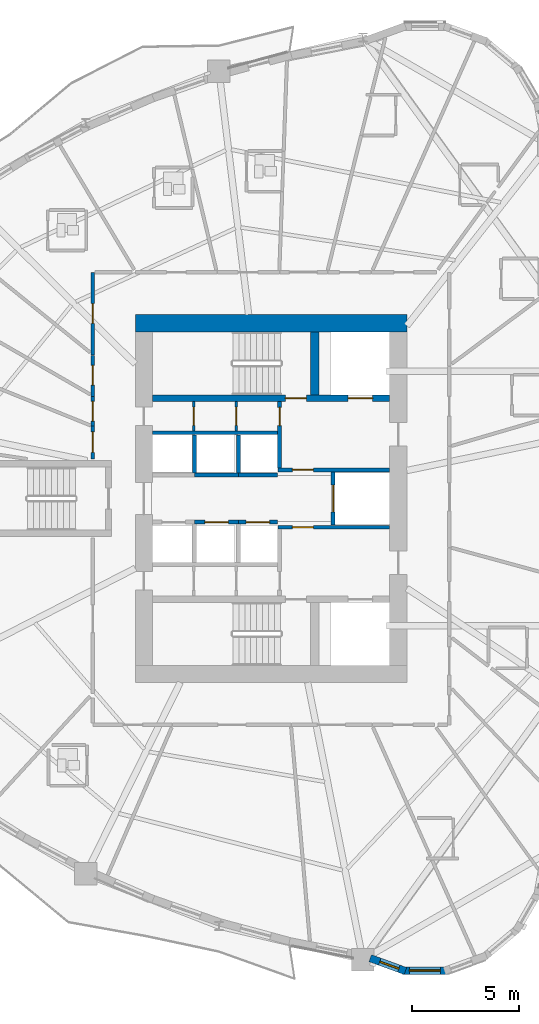
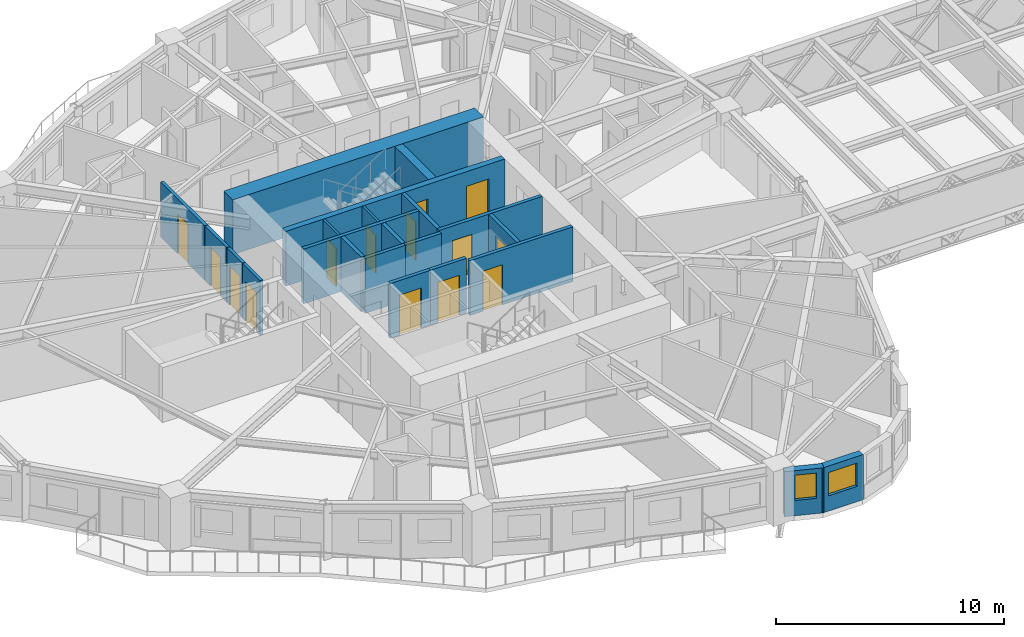
# One storey, part 8 of 18: 22 walls, 14 doors, 2 windows, 16 openings.
"""IFC4 building model written with IfcOpenShell, lengths in metres."""

from ifc_helpers import new_model, si_unit, direction, frame, frame_2d, origin, place, context, subcontext, project, spatial, rectangle, extrude, source, transform, mapped, material, layer, layer_set, type_object, element, fill, save


model = new_model("IFC4")

# Units and contexts
model_context = context("Model", 3, precision=1e-05, world=origin(), true_north=direction((0.0, 1.0)))
body_context = subcontext(model_context, "Body", "Model", "MODEL_VIEW")
ifc_project = project(units=[si_unit("LENGTHUNIT", "METRE"), si_unit("AREAUNIT", "SQUARE_METRE"), si_unit("VOLUMEUNIT", "CUBIC_METRE"), si_unit("PLANEANGLEUNIT", "RADIAN"), si_unit("MASSUNIT", "GRAM", prefix="KILO")], contexts=[model_context])

# Site, building, storey
site_placement = place(None, origin())
site = spatial("IfcSite", under=ifc_project, at=site_placement, CompositionType="ELEMENT")
building_placement = place(site_placement, origin())
building = spatial("IfcBuilding", under=site, at=building_placement, Name="Qafzar Sky-Pleat Residences", CompositionType="ELEMENT")
storey_placement = place(building_placement, frame((0.0, 0.0, 27.0)))
storey = spatial("IfcBuildingStorey", under=building, at=storey_placement, Name="L07", CompositionType="ELEMENT", Elevation=27.0)

# Wall, opening, door
ifc_material_1 = material(Name="Acoustic gypsum plasterboard partition", Category="gypsum")
ifc_layer_1 = layer(ifc_material_1, 0.159912109375)
ifc_layer_set_1 = layer_set([ifc_layer_1], Name="Acoustic gypsum plasterboard partition")
wall_type_1 = type_object("IfcWallType", Name="PART-COR-160", PredefinedType="PARTITIONING", material=ifc_layer_set_1)
wall_1_placement = place(storey_placement, frame((22.02001953125, 32.7099609375, 0.0), z_axis=(0.0, 0.0, 1.0), x_axis=(0.0, 1.0, 0.0)))
wall_1 = element("IfcWall", 1, at=wall_1_placement, inside=storey, type_object=wall_type_1, Name="L07 Partition Wall PART-L07-PW-007", PredefinedType="PARTITIONING", context=body_context, shape_type="SweptSolid", body=[
    extrude(rectangle(XDim=3.8701171875, YDim=0.159912109375, at=frame_2d((1.93505859375, 0.0))), origin(), (0.0, 0.0, 1.0), 2.93505859375),
])
opening_1_placement = place(wall_1_placement, frame((1.484619140625, 0.0, 0.0)))
opening_1 = element("IfcOpeningElement", 2, at=opening_1_placement, cuts=wall_1, Name="Opening ID-04", PredefinedType="OPENING", context=body_context, shape_type="SweptSolid", body=[
    extrude(rectangle(XDim=0.919921875, YDim=2.10009765625, at=frame_2d((0.4599609375, 1.050048828125))), frame((0.0, 0.08984375, 0.0), z_axis=(0.0, -1.0, 0.0), x_axis=(1.0, 0.0, 0.0)), (0.0, 0.0, 1.0), 0.179931640625),
])
ifc_material_2 = material(Name="Timber-faced fire door", Category="wood")
door_type_1 = type_object("IfcDoorType", Name="DR-BED-920", OperationType="NOTDEFINED", PredefinedType="DOOR", material=ifc_material_2)
shared_shape_1 = source(origin(), body_context, "Body", "SweptSolid", [
    extrude(rectangle(XDim=0.919921875, YDim=2.10009765625, at=frame_2d((0.4599609375, 1.050048828125))), frame((0.0, 0.02490234375, 0.0), z_axis=(0.0, -1.0, 0.0), x_axis=(1.0, 0.0, 0.0)), (0.0, 0.0, 1.0), 0.050048828125),
])
door_1_placement = place(opening_1_placement, origin())
door_1 = element("IfcDoor", 3, at=door_1_placement, inside=storey, type_object=door_type_1, Name="L07 Co-Living Bedroom 3 Door", OperationType="SINGLE_SWING_RIGHT", OverallHeight=2.10009765625, OverallWidth=0.919921875, PredefinedType="DOOR", context=body_context, shape_type="MappedRepresentation", body=[
    mapped(shared_shape_1, transform((0.0, 0.0, 0.0), x_axis=(1.0, 0.0, 0.0), y_axis=(0.0, 1.0, 0.0), z_axis=(0.0, 0.0, 1.0), scale=1.0)),
])
fill(opening_1, door_1)

wall_2_placement = place(storey_placement, frame((22.02001953125, 30.781982421875, 0.0), z_axis=(0.0, 0.0, 1.0), x_axis=(0.0, 1.0, 0.0)))
wall_2 = element("IfcWall", 4, at=wall_2_placement, inside=storey, type_object=wall_type_1, Name="L07 Partition Wall PART-L07-PW-019", PredefinedType="PARTITIONING", context=body_context, shape_type="SweptSolid", body=[
    extrude(rectangle(XDim=1.9130859375, YDim=0.159912109375, at=frame_2d((0.95654296875, 0.0))), origin(), (0.0, 0.0, 1.0), 2.93505859375),
])
opening_2_placement = place(wall_2_placement, frame((0.52197265625, 0.0, 0.0)))
opening_2 = element("IfcOpeningElement", 5, at=opening_2_placement, cuts=wall_2, Name="Opening ID-04", PredefinedType="OPENING", context=body_context, shape_type="SweptSolid", body=[
    extrude(rectangle(XDim=0.919921875, YDim=2.10009765625, at=frame_2d((0.4599609375, 1.050048828125))), frame((0.0, 0.08984375, 0.0), z_axis=(0.0, -1.0, 0.0), x_axis=(1.0, 0.0, 0.0)), (0.0, 0.0, 1.0), 0.179931640625),
])
door_2_placement = place(opening_2_placement, origin())
door_2 = element("IfcDoor", 6, at=door_2_placement, inside=storey, type_object=door_type_1, Name="L07 Co-Living Bedroom 5 Door", OperationType="SINGLE_SWING_LEFT", OverallHeight=2.10009765625, OverallWidth=0.919921875, PredefinedType="DOOR", context=body_context, shape_type="MappedRepresentation", body=[
    mapped(shared_shape_1, transform((0.0, 0.0, 0.0), x_axis=(1.0, 0.0, 0.0), y_axis=(0.0, 1.0, 0.0), z_axis=(0.0, 0.0, 1.0), scale=1.0)),
])
fill(opening_2, door_2)

wall_3_placement = place(storey_placement, frame((22.02001953125, 27.85009765625, 0.0), z_axis=(0.0, 0.0, 1.0), x_axis=(0.0, 1.0, 0.0)))
wall_3 = element("IfcWall", 7, at=wall_3_placement, inside=storey, type_object=wall_type_1, Name="L07 Partition Wall PART-L07-PW-031", PredefinedType="PARTITIONING", context=body_context, shape_type="SweptSolid", body=[
    extrude(rectangle(XDim=1.538818359375, YDim=0.159912109375, at=frame_2d((0.76953125, 0.0))), origin(), (0.0, 0.0, 1.0), 2.93505859375),
])
opening_3_placement = place(wall_3_placement, frame((0.31103515625, 0.0, 0.0)))
opening_3 = element("IfcOpeningElement", 8, at=opening_3_placement, cuts=wall_3, Name="Opening ID-06", PredefinedType="OPENING", context=body_context, shape_type="SweptSolid", body=[
    extrude(rectangle(XDim=0.9599609375, YDim=2.10009765625, at=frame_2d((0.47998046875, 1.050048828125))), frame((0.0, 0.08984375, 0.0), z_axis=(0.0, -1.0, 0.0), x_axis=(1.0, 0.0, 0.0)), (0.0, 0.0, 1.0), 0.179931640625),
])
door_type_2 = type_object("IfcDoorType", Name="DR-STD-960", OperationType="NOTDEFINED", PredefinedType="DOOR", material=ifc_material_2)
shared_shape_2 = source(origin(), body_context, "Body", "SweptSolid", [
    extrude(rectangle(XDim=0.9599609375, YDim=2.10009765625, at=frame_2d((0.47998046875, 1.050048828125))), frame((0.0, 0.02490234375, 0.0), z_axis=(0.0, -1.0, 0.0), x_axis=(1.0, 0.0, 0.0)), (0.0, 0.0, 1.0), 0.050048828125),
])
door_3_placement = place(opening_3_placement, origin())
door_3 = element("IfcDoor", 9, at=door_3_placement, inside=storey, type_object=door_type_2, Name="L07 Graduate Lecture Room Door", OperationType="SINGLE_SWING_LEFT", OverallHeight=2.10009765625, OverallWidth=0.9599609375, PredefinedType="DOOR", context=body_context, shape_type="MappedRepresentation", body=[
    mapped(shared_shape_2, transform((0.0, 0.0, 0.0), x_axis=(1.0, 0.0, 0.0), y_axis=(0.0, 1.0, 0.0), z_axis=(0.0, 0.0, 1.0), scale=1.0)),
])
fill(opening_3, door_3)

wall_4_placement = place(storey_placement, frame((22.02001953125, 29.404052734375, 0.0), z_axis=(0.0, 0.0, 1.0), x_axis=(0.0, 1.0, 0.0)))
wall_4 = element("IfcWall", 10, at=wall_4_placement, inside=storey, type_object=wall_type_1, Name="L07 Partition Wall PART-L07-PW-032", PredefinedType="PARTITIONING", context=body_context, shape_type="SweptSolid", body=[
    extrude(rectangle(XDim=1.363037109375, YDim=0.159912109375, at=frame_2d((0.681640625, 0.0))), origin(), (0.0, 0.0, 1.0), 2.93505859375),
])
opening_4_placement = place(wall_4_placement, frame((0.221923828125, 0.0, 0.0)))
opening_4 = element("IfcOpeningElement", 11, at=opening_4_placement, cuts=wall_4, Name="Opening ID-04", PredefinedType="OPENING", context=body_context, shape_type="SweptSolid", body=[
    extrude(rectangle(XDim=0.919921875, YDim=2.10009765625, at=frame_2d((0.4599609375, 1.050048828125))), frame((0.0, 0.08984375, 0.0), z_axis=(0.0, -1.0, 0.0), x_axis=(1.0, 0.0, 0.0)), (0.0, 0.0, 1.0), 0.179931640625),
])
door_4_placement = place(opening_4_placement, origin())
door_4 = element("IfcDoor", 12, at=door_4_placement, inside=storey, type_object=door_type_1, Name="L07 Co-Living Bedroom 4 Door", OperationType="SINGLE_SWING_RIGHT", OverallHeight=2.10009765625, OverallWidth=0.919921875, PredefinedType="DOOR", context=body_context, shape_type="MappedRepresentation", body=[
    mapped(shared_shape_1, transform((0.0, 0.0, 0.0), x_axis=(1.0, 0.0, 0.0), y_axis=(0.0, 1.0, 0.0), z_axis=(0.0, 0.0, 1.0), scale=1.0)),
])
fill(opening_4, door_4)

ifc_material_3 = material(Name="Concrete blockwork partition", Category="masonry")
ifc_layer_2 = layer(ifc_material_3, 0.179931640625)
ifc_layer_set_2 = layer_set([ifc_layer_2], Name="Concrete blockwork partition")
wall_type_2 = type_object("IfcWallType", Name="PART-SHAFT-180", PredefinedType="PARTITIONING", material=ifc_layer_set_2)
wall_5_placement = place(storey_placement, frame((30.669921875, 24.659912109375, 0.0), z_axis=(0.0, 0.0, 1.0), x_axis=(1.0, 0.0, 0.0)))
wall_5 = element("IfcWall", 13, at=wall_5_placement, inside=storey, type_object=wall_type_2, Name="L07 Partition Wall PART-L07-FFL1-N", PredefinedType="PARTITIONING", context=body_context, shape_type="SweptSolid", body=[
    extrude(rectangle(XDim=5.219970703125, YDim=0.179931640625, at=frame_2d((2.60986328125, 0.0))), origin(), (0.0, 0.0, 1.0), 2.93505859375),
])
opening_5_placement = place(wall_5_placement, frame((0.679931640625, 0.0, 0.0)))
opening_5 = element("IfcOpeningElement", 14, at=opening_5_placement, cuts=wall_5, Name="Opening ID-01", PredefinedType="OPENING", context=body_context, shape_type="SweptSolid", body=[
    extrude(rectangle(XDim=0.97998046875, YDim=2.14990234375, at=frame_2d((0.489990234375, 1.074951171875))), frame((0.0, 0.10009765625, 0.0), z_axis=(0.0, -1.0, 0.0), x_axis=(1.0, 0.0, 0.0)), (0.0, 0.0, 1.0), 0.199951171875),
])
door_type_3 = type_object("IfcDoorType", Name="DR-STAIR-980", OperationType="NOTDEFINED", PredefinedType="DOOR", material=ifc_material_2)
shared_shape_3 = source(origin(), body_context, "Body", "SweptSolid", [
    extrude(rectangle(XDim=0.97998046875, YDim=2.14990234375, at=frame_2d((0.489990234375, 1.074951171875))), frame((0.0, 0.02490234375, 0.0), z_axis=(0.0, -1.0, 0.0), x_axis=(1.0, 0.0, 0.0)), (0.0, 0.0, 1.0), 0.050048828125),
])
door_5_placement = place(opening_5_placement, origin())
door_5 = element("IfcDoor", 15, at=door_5_placement, inside=storey, type_object=door_type_3, Name="L07 Lift Lobby to South Firefighting Lobby Door", OperationType="SINGLE_SWING_LEFT", OverallHeight=2.14990234375, OverallWidth=0.97998046875, PredefinedType="DOOR", context=body_context, shape_type="MappedRepresentation", body=[
    mapped(shared_shape_3, transform((0.0, 0.0, 0.0), x_axis=(1.0, 0.0, 0.0), y_axis=(0.0, 1.0, 0.0), z_axis=(0.0, 0.0, 1.0), scale=1.0)),
])
fill(opening_5, door_5)

wall_6_placement = place(storey_placement, frame((30.75, 27.429931640625, 0.0), z_axis=(0.0, 0.0, 1.0), x_axis=(0.0, 1.0, 0.0)))
wall_6 = element("IfcWall", 16, at=wall_6_placement, inside=storey, type_object=wall_type_2, Name="L07 Partition Wall PART-L07-FFL2-W", PredefinedType="PARTITIONING", context=body_context, shape_type="SweptSolid", body=[
    extrude(rectangle(XDim=3.110107421875, YDim=0.179931640625, at=frame_2d((1.55517578125, 0.0))), origin(), (0.0, 0.0, 1.0), 2.93505859375),
])
opening_6_placement = place(wall_6_placement, frame((1.97998046875, 0.0, 0.0)))
opening_6 = element("IfcOpeningElement", 17, at=opening_6_placement, cuts=wall_6, Name="Opening ID-09", PredefinedType="OPENING", context=body_context, shape_type="SweptSolid", body=[
    extrude(rectangle(XDim=0.860107421875, YDim=2.050048828125, at=frame_2d((0.43017578125, 1.02490234375))), frame((0.0, 0.10009765625, 0.0), z_axis=(0.0, -1.0, 0.0), x_axis=(1.0, 0.0, 0.0)), (0.0, 0.0, 1.0), 0.199951171875),
])
door_type_4 = type_object("IfcDoorType", Name="DR-SVC-860", OperationType="NOTDEFINED", PredefinedType="DOOR", material=ifc_material_2)
shared_shape_4 = source(origin(), body_context, "Body", "SweptSolid", [
    extrude(rectangle(XDim=0.860107421875, YDim=2.050048828125, at=frame_2d((0.43017578125, 1.02490234375))), frame((0.0, 0.02490234375, 0.0), z_axis=(0.0, -1.0, 0.0), x_axis=(1.0, 0.0, 0.0)), (0.0, 0.0, 1.0), 0.050048828125),
])
door_6_placement = place(opening_6_placement, origin())
door_6 = element("IfcDoor", 18, at=door_6_placement, inside=storey, type_object=door_type_4, Name="L07 North Core Cupboard Door", OperationType="SINGLE_SWING_RIGHT", OverallHeight=2.050048828125, OverallWidth=0.860107421875, PredefinedType="DOOR", context=body_context, shape_type="MappedRepresentation", body=[
    mapped(shared_shape_4, transform((0.0, 0.0, 0.0), x_axis=(1.0, 0.0, 0.0), y_axis=(0.0, 1.0, 0.0), z_axis=(0.0, 0.0, 1.0), scale=1.0)),
])
fill(opening_6, door_6)

wall_7_placement = place(storey_placement, frame((30.669921875, 27.340087890625, 0.0), z_axis=(0.0, 0.0, 1.0), x_axis=(1.0, 0.0, 0.0)))
wall_7 = element("IfcWall", 19, at=wall_7_placement, inside=storey, type_object=wall_type_2, Name="L07 Partition Wall PART-L07-FFL2-S", PredefinedType="PARTITIONING", context=body_context, shape_type="SweptSolid", body=[
    extrude(rectangle(XDim=5.219970703125, YDim=0.179931640625, at=frame_2d((2.60986328125, 0.0))), origin(), (0.0, 0.0, 1.0), 2.93505859375),
])
opening_7_placement = place(wall_7_placement, frame((0.679931640625, 0.0, 0.0)))
opening_7 = element("IfcOpeningElement", 20, at=opening_7_placement, cuts=wall_7, Name="Opening ID-01", PredefinedType="OPENING", context=body_context, shape_type="SweptSolid", body=[
    extrude(rectangle(XDim=0.97998046875, YDim=2.14990234375, at=frame_2d((0.489990234375, 1.074951171875))), frame((0.0, 0.10009765625, 0.0), z_axis=(0.0, -1.0, 0.0), x_axis=(1.0, 0.0, 0.0)), (0.0, 0.0, 1.0), 0.199951171875),
])
door_7_placement = place(opening_7_placement, origin())
door_7 = element("IfcDoor", 21, at=door_7_placement, inside=storey, type_object=door_type_3, Name="L07 Lift Lobby to North Firefighting Lobby Door", OperationType="SINGLE_SWING_LEFT", OverallHeight=2.14990234375, OverallWidth=0.97998046875, PredefinedType="DOOR", context=body_context, shape_type="MappedRepresentation", body=[
    mapped(shared_shape_3, transform((0.0, 0.0, 0.0), x_axis=(1.0, 0.0, 0.0), y_axis=(0.0, 1.0, 0.0), z_axis=(0.0, 0.0, 1.0), scale=1.0)),
])
fill(opening_7, door_7)

wall_8_placement = place(storey_placement, frame((33.25, 24.760009765625, 0.0), z_axis=(0.0, 0.0, 1.0), x_axis=(0.0, 1.0, 0.0)))
wall_8 = element("IfcWall", 22, at=wall_8_placement, inside=storey, type_object=wall_type_2, Name="L07 Partition Wall PART-L07-SV1-W", PredefinedType="PARTITIONING", context=body_context, shape_type="SweptSolid", body=[
    extrude(rectangle(XDim=2.47998046875, YDim=0.179931640625, at=frame_2d((1.239990234375, 0.0))), origin(), (0.0, 0.0, 1.0), 2.93505859375),
])
opening_8_placement = place(wall_8_placement, frame((0.614990234375, 0.0, 0.0)))
opening_8 = element("IfcOpeningElement", 23, at=opening_8_placement, cuts=wall_8, Name="Opening LD-03", PredefinedType="OPENING", context=body_context, shape_type="SweptSolid", body=[
    extrude(rectangle(XDim=1.25, YDim=2.14990234375, at=frame_2d((0.625, 1.074951171875))), frame((0.0, 0.10009765625, 0.0), z_axis=(0.0, -1.0, 0.0), x_axis=(1.0, 0.0, 0.0)), (0.0, 0.0, 1.0), 0.199951171875),
])
ifc_material_4 = material(Name="Stainless steel sliding landing door", Category="steel")
door_type_5 = type_object("IfcDoorType", Name="DR-LIFT-SV", OperationType="DOUBLE_DOOR_SLIDING", PredefinedType="DOOR", material=ifc_material_4)
shared_shape_5 = source(origin(), body_context, "Body", "SweptSolid", [
    extrude(rectangle(XDim=1.25, YDim=2.14990234375, at=frame_2d((0.625, 1.074951171875))), frame((0.0, 0.02490234375, 0.0), z_axis=(0.0, -1.0, 0.0), x_axis=(1.0, 0.0, 0.0)), (0.0, 0.0, 1.0), 0.050048828125),
])
door_8_placement = place(opening_8_placement, origin())
door_8 = element("IfcDoor", 24, at=door_8_placement, inside=storey, type_object=door_type_5, Name="L07 Service Lift SV1 Landing Door", OperationType="DOUBLE_DOOR_SLIDING", OverallHeight=2.14990234375, OverallWidth=1.25, PredefinedType="DOOR", context=body_context, shape_type="MappedRepresentation", body=[
    mapped(shared_shape_5, transform((0.0, 0.0, 0.0), x_axis=(1.0, 0.0, 0.0), y_axis=(0.0, 1.0, 0.0), z_axis=(0.0, 0.0, 1.0), scale=1.0)),
])
fill(opening_8, door_8)

wall_9_placement = place(storey_placement, frame((26.77490234375, 24.89990234375, 0.0), z_axis=(0.0, 0.0, 1.0), x_axis=(1.0, 0.0, 0.0)))
wall_9 = element("IfcWall", 25, at=wall_9_placement, inside=storey, type_object=wall_type_2, Name="L07 Partition Wall PART-L07-P2-N", PredefinedType="PARTITIONING", context=body_context, shape_type="SweptSolid", body=[
    extrude(rectangle(XDim=2.050048828125, YDim=0.179931640625, at=frame_2d((1.02490234375, 0.0))), origin(), (0.0, 0.0, 1.0), 2.93505859375),
])
opening_9_placement = place(wall_9_placement, frame((0.47509765625, 0.0, 0.0)))
opening_9 = element("IfcOpeningElement", 26, at=opening_9_placement, cuts=wall_9, Name="Opening LD-01", PredefinedType="OPENING", context=body_context, shape_type="SweptSolid", body=[
    extrude(rectangle(XDim=1.10009765625, YDim=2.14990234375, at=frame_2d((0.550048828125, 1.074951171875))), frame((0.0, 0.10009765625, 0.0), z_axis=(0.0, -1.0, 0.0), x_axis=(1.0, 0.0, 0.0)), (0.0, 0.0, 1.0), 0.199951171875),
])
door_type_6 = type_object("IfcDoorType", Name="DR-LIFT-P", OperationType="DOUBLE_DOOR_SLIDING", PredefinedType="DOOR", material=ifc_material_4)
shared_shape_6 = source(origin(), body_context, "Body", "SweptSolid", [
    extrude(rectangle(XDim=1.10009765625, YDim=2.14990234375, at=frame_2d((0.550048828125, 1.074951171875))), frame((0.0, 0.02490234375, 0.0), z_axis=(0.0, -1.0, 0.0), x_axis=(1.0, 0.0, 0.0)), (0.0, 0.0, 1.0), 0.050048828125),
])
door_9_placement = place(opening_9_placement, origin())
door_9 = element("IfcDoor", 27, at=door_9_placement, inside=storey, type_object=door_type_6, Name="L07 Passenger Lift P2 Landing Door", OperationType="DOUBLE_DOOR_SLIDING", OverallHeight=2.14990234375, OverallWidth=1.10009765625, PredefinedType="DOOR", context=body_context, shape_type="MappedRepresentation", body=[
    mapped(shared_shape_6, transform((0.0, 0.0, 0.0), x_axis=(1.0, 0.0, 0.0), y_axis=(0.0, 1.0, 0.0), z_axis=(0.0, 0.0, 1.0), scale=1.0)),
])
fill(opening_9, door_9)

wall_10_placement = place(storey_placement, frame((28.824951171875, 24.89990234375, 0.0), z_axis=(0.0, 0.0, 1.0), x_axis=(1.0, 0.0, 0.0)))
wall_10 = element("IfcWall", 28, at=wall_10_placement, inside=storey, type_object=wall_type_2, Name="L07 Partition Wall PART-L07-P3-N", PredefinedType="PARTITIONING", context=body_context, shape_type="SweptSolid", body=[
    extrude(rectangle(XDim=1.824951171875, YDim=0.179931640625, at=frame_2d((0.91259765625, 0.0))), origin(), (0.0, 0.0, 1.0), 2.93505859375),
])
opening_10_placement = place(wall_10_placement, frame((0.362548828125, 0.0, 0.0)))
opening_10 = element("IfcOpeningElement", 29, at=opening_10_placement, cuts=wall_10, Name="Opening LD-01", PredefinedType="OPENING", context=body_context, shape_type="SweptSolid", body=[
    extrude(rectangle(XDim=1.10009765625, YDim=2.14990234375, at=frame_2d((0.550048828125, 1.074951171875))), frame((0.0, 0.10009765625, 0.0), z_axis=(0.0, -1.0, 0.0), x_axis=(1.0, 0.0, 0.0)), (0.0, 0.0, 1.0), 0.199951171875),
])
door_10_placement = place(opening_10_placement, origin())
door_10 = element("IfcDoor", 30, at=door_10_placement, inside=storey, type_object=door_type_6, Name="L07 Passenger Lift P3 Landing Door", OperationType="DOUBLE_DOOR_SLIDING", OverallHeight=2.14990234375, OverallWidth=1.10009765625, PredefinedType="DOOR", context=body_context, shape_type="MappedRepresentation", body=[
    mapped(shared_shape_6, transform((0.0, 0.0, 0.0), x_axis=(1.0, 0.0, 0.0), y_axis=(0.0, 1.0, 0.0), z_axis=(0.0, 0.0, 1.0), scale=1.0)),
])
fill(opening_10, door_10)

# Walls
wall_11_placement = place(storey_placement, frame((24.81005859375, 29.080078125, 0.0), z_axis=(0.0, 0.0, 1.0), x_axis=(1.0, 0.0, 0.0)))
element("IfcWall", 31, at=wall_11_placement, inside=storey, type_object=wall_type_2, Name="L07 Partition Wall PART-L07-P46-N", PredefinedType="PARTITIONING", context=body_context, shape_type="SweptSolid", body=[
    extrude(rectangle(XDim=5.83984375, YDim=0.179931640625, at=frame_2d((2.919921875, 0.0))), origin(), (0.0, 0.0, 1.0), 2.93505859375),
])
wall_12_placement = place(storey_placement, frame((26.77490234375, 27.10009765625, 0.0), z_axis=(0.0, 0.0, 1.0), x_axis=(1.0, 0.0, 0.0)))
element("IfcWall", 32, at=wall_12_placement, inside=storey, type_object=wall_type_2, Name="L07 Partition Wall PART-L07-P5-S", PredefinedType="PARTITIONING", context=body_context, shape_type="SweptSolid", body=[
    extrude(rectangle(XDim=2.050048828125, YDim=0.179931640625, at=frame_2d((1.02490234375, 0.0))), origin(), (0.0, 0.0, 1.0), 2.93505859375),
])
wall_13_placement = place(storey_placement, frame((26.77490234375, 27.199951171875, 0.0), z_axis=(0.0, 0.0, 1.0), x_axis=(0.0, 1.0, 0.0)))
element("IfcWall", 33, at=wall_13_placement, inside=storey, type_object=wall_type_2, Name="L07 Partition Wall PART-L07-P46-DIV-1", PredefinedType="PARTITIONING", context=body_context, shape_type="SweptSolid", body=[
    extrude(rectangle(XDim=1.780029296875, YDim=0.179931640625, at=frame_2d((0.89013671875, 0.0))), origin(), (0.0, 0.0, 1.0), 2.93505859375),
])
wall_14_placement = place(storey_placement, frame((28.824951171875, 27.10009765625, 0.0), z_axis=(0.0, 0.0, 1.0), x_axis=(1.0, 0.0, 0.0)))
element("IfcWall", 34, at=wall_14_placement, inside=storey, type_object=wall_type_2, Name="L07 Partition Wall PART-L07-P6-S", PredefinedType="PARTITIONING", context=body_context, shape_type="SweptSolid", body=[
    extrude(rectangle(XDim=1.824951171875, YDim=0.179931640625, at=frame_2d((0.91259765625, 0.0))), origin(), (0.0, 0.0, 1.0), 2.93505859375),
])
wall_15_placement = place(storey_placement, frame((28.824951171875, 27.199951171875, 0.0), z_axis=(0.0, 0.0, 1.0), x_axis=(0.0, 1.0, 0.0)))
element("IfcWall", 35, at=wall_15_placement, inside=storey, type_object=wall_type_2, Name="L07 Partition Wall PART-L07-P46-DIV-2", PredefinedType="PARTITIONING", context=body_context, shape_type="SweptSolid", body=[
    extrude(rectangle(XDim=1.780029296875, YDim=0.179931640625, at=frame_2d((0.89013671875, 0.0))), origin(), (0.0, 0.0, 1.0), 2.93505859375),
])

# Wall, opening, door
ifc_material_5 = material(Name="Gypsum plasterboard partition", Category="gypsum")
ifc_layer_3 = layer(ifc_material_5, 0.114990234375)
ifc_layer_set_3 = layer_set([ifc_layer_3], Name="Gypsum plasterboard partition")
wall_type_3 = type_object("IfcWallType", Name="PART-SVC-115", PredefinedType="PARTITIONING", material=ifc_layer_set_3)
wall_16_placement = place(storey_placement, frame((26.72509765625, 29.159912109375, 0.0), z_axis=(0.0, 0.0, 1.0), x_axis=(0.0, 1.0, 0.0)))
wall_16 = element("IfcWall", 36, at=wall_16_placement, inside=storey, type_object=wall_type_3, Name="L07 Partition Wall PART-L07-KC-NW-1", PredefinedType="PARTITIONING", context=body_context, shape_type="SweptSolid", body=[
    extrude(rectangle(XDim=1.380126953125, YDim=0.114990234375, at=frame_2d((0.68994140625, 0.0))), origin(), (0.0, 0.0, 1.0), 2.93505859375),
])
opening_11_placement = place(wall_16_placement, frame((0.260009765625, 0.0, 0.0)))
opening_11 = element("IfcOpeningElement", 37, at=opening_11_placement, cuts=wall_16, Name="Opening ID-09", PredefinedType="OPENING", context=body_context, shape_type="SweptSolid", body=[
    extrude(rectangle(XDim=0.860107421875, YDim=2.050048828125, at=frame_2d((0.43017578125, 1.02490234375))), frame((0.0, 0.0673828125, 0.0), z_axis=(0.0, -1.0, 0.0), x_axis=(1.0, 0.0, 0.0)), (0.0, 0.0, 1.0), 0.135009765625),
])
door_11_placement = place(opening_11_placement, origin())
door_11 = element("IfcDoor", 38, at=door_11_placement, inside=storey, type_object=door_type_4, Name="L07 Core North Cupboard 1 Door", OperationType="SINGLE_SWING_LEFT", OverallHeight=2.050048828125, OverallWidth=0.860107421875, PredefinedType="DOOR", context=body_context, shape_type="MappedRepresentation", body=[
    mapped(shared_shape_4, transform((0.0, 0.0, 0.0), x_axis=(1.0, 0.0, 0.0), y_axis=(0.0, 1.0, 0.0), z_axis=(0.0, 0.0, 1.0), scale=1.0)),
])
fill(opening_11, door_11)

wall_17_placement = place(storey_placement, frame((28.72509765625, 29.159912109375, 0.0), z_axis=(0.0, 0.0, 1.0), x_axis=(0.0, 1.0, 0.0)))
wall_17 = element("IfcWall", 39, at=wall_17_placement, inside=storey, type_object=wall_type_3, Name="L07 Partition Wall PART-L07-KC-NW-2", PredefinedType="PARTITIONING", context=body_context, shape_type="SweptSolid", body=[
    extrude(rectangle(XDim=1.380126953125, YDim=0.114990234375, at=frame_2d((0.68994140625, 0.0))), origin(), (0.0, 0.0, 1.0), 2.93505859375),
])
opening_12_placement = place(wall_17_placement, frame((0.260009765625, 0.0, 0.0)))
opening_12 = element("IfcOpeningElement", 40, at=opening_12_placement, cuts=wall_17, Name="Opening ID-09", PredefinedType="OPENING", context=body_context, shape_type="SweptSolid", body=[
    extrude(rectangle(XDim=0.860107421875, YDim=2.050048828125, at=frame_2d((0.43017578125, 1.02490234375))), frame((0.0, 0.0673828125, 0.0), z_axis=(0.0, -1.0, 0.0), x_axis=(1.0, 0.0, 0.0)), (0.0, 0.0, 1.0), 0.135009765625),
])
door_12_placement = place(opening_12_placement, origin())
door_12 = element("IfcDoor", 41, at=door_12_placement, inside=storey, type_object=door_type_4, Name="L07 Core North Cupboard 2 Door", OperationType="SINGLE_SWING_LEFT", OverallHeight=2.050048828125, OverallWidth=0.860107421875, PredefinedType="DOOR", context=body_context, shape_type="MappedRepresentation", body=[
    mapped(shared_shape_4, transform((0.0, 0.0, 0.0), x_axis=(1.0, 0.0, 0.0), y_axis=(0.0, 1.0, 0.0), z_axis=(0.0, 0.0, 1.0), scale=1.0)),
])
fill(opening_12, door_12)

# Wall, opening, window
ifc_material_6 = material(Name="Precast concrete C40/50 with honed Riyadh limestone", Category="concrete")
ifc_layer_4 = layer(ifc_material_6, 0.35009765625)
ifc_layer_set_4 = layer_set([ifc_layer_4], Name="Precast concrete C40/50 with honed Riyadh limestone")
wall_type_4 = type_object("IfcWallType", Name="WALL-EXT-350", PredefinedType="SOLIDWALL", material=ifc_layer_set_4)
wall_18_placement = place(storey_placement, frame((34.98681640625, 4.50634765625, 0.0), z_axis=(0.0, 0.0, 1.0), x_axis=(0.939720171257, -0.341944439541, 0.0)))
wall_18 = element("IfcWall", 42, at=wall_18_placement, inside=storey, type_object=wall_type_4, Name="L07 Limestone Facade Wall 17", PredefinedType="SOLIDWALL", context=body_context, shape_type="SweptSolid", body=[
    extrude(rectangle(XDim=1.752197265625, YDim=0.35009765625, at=frame_2d((0.8759765625, 0.0))), origin(), (0.0, 0.0, 1.0), 2.4150390625),
])
opening_13_placement = place(wall_18_placement, frame((0.47607421875, 0.0, 0.820068359375)))
opening_13 = element("IfcOpeningElement", 43, at=opening_13_placement, cuts=wall_18, Name="Opening WN-12", PredefinedType="OPENING", context=body_context, shape_type="SweptSolid", body=[
    extrude(rectangle(XDim=0.949951171875, YDim=1.35009765625, at=frame_2d((0.47509765625, 0.675048828125))), frame((0.0, 0.18505859375, 0.0), z_axis=(0.0, -1.0, 0.0), x_axis=(1.0, 0.0, 0.0)), (0.0, 0.0, 1.0), 0.3701171875),
])
ifc_material_7 = material(Name="Solar-control low-E glass in bronze aluminium frame", Category="glass")
window_type_1 = type_object("IfcWindowType", Name="WIN-12", PartitioningType="SINGLE_PANEL", PredefinedType="WINDOW", material=ifc_material_7)
shared_shape_7 = source(origin(), body_context, "Body", "SweptSolid", [
    extrude(rectangle(XDim=0.949951171875, YDim=1.35009765625, at=frame_2d((0.47509765625, 0.675048828125))), frame((0.0, 0.030029296875, 0.0), z_axis=(0.0, -1.0, 0.0), x_axis=(1.0, 0.0, 0.0)), (0.0, 0.0, 1.0), 0.06005859375),
])
window_1_placement = place(opening_13_placement, origin())
window_1 = element("IfcWindow", 44, at=window_1_placement, inside=storey, type_object=window_type_1, Name="L07 Punched Facade Window 17", OverallHeight=1.35009765625, OverallWidth=0.949951171875, PartitioningType="SINGLE_PANEL", PredefinedType="WINDOW", context=body_context, shape_type="MappedRepresentation", body=[
    mapped(shared_shape_7, transform((0.0, 0.0, 0.0), x_axis=(1.0, 0.0, 0.0), y_axis=(0.0, 1.0, 0.0), z_axis=(0.0, 0.0, 1.0), scale=1.0)),
])
fill(opening_13, window_1)

wall_19_placement = place(storey_placement, frame((36.499755859375, 3.9306640625, 0.0), z_axis=(0.0, 0.0, 1.0), x_axis=(1.0, 0.0, 0.0)))
wall_19 = element("IfcWall", 45, at=wall_19_placement, inside=storey, type_object=wall_type_4, Name="L07 Limestone Facade Wall 18", PredefinedType="SOLIDWALL", context=body_context, shape_type="SweptSolid", body=[
    extrude(rectangle(XDim=2.09033203125, YDim=0.35009765625, at=frame_2d((1.045166015625, 0.0))), origin(), (0.0, 0.0, 1.0), 2.4150390625),
])
opening_14_placement = place(wall_19_placement, frame((0.3203125, 0.0, 0.820068359375)))
opening_14 = element("IfcOpeningElement", 46, at=opening_14_placement, cuts=wall_19, Name="Opening WN-15", PredefinedType="OPENING", context=body_context, shape_type="SweptSolid", body=[
    extrude(rectangle(XDim=1.449951171875, YDim=1.25, at=frame_2d((0.72509765625, 0.625))), frame((0.0, 0.18505859375, 0.0), z_axis=(0.0, -1.0, 0.0), x_axis=(1.0, 0.0, 0.0)), (0.0, 0.0, 1.0), 0.3701171875),
])
window_type_2 = type_object("IfcWindowType", Name="WIN-15", PartitioningType="SINGLE_PANEL", PredefinedType="WINDOW", material=ifc_material_7)
shared_shape_8 = source(origin(), body_context, "Body", "SweptSolid", [
    extrude(rectangle(XDim=1.449951171875, YDim=1.25, at=frame_2d((0.72509765625, 0.625))), frame((0.0, 0.030029296875, 0.0), z_axis=(0.0, -1.0, 0.0), x_axis=(1.0, 0.0, 0.0)), (0.0, 0.0, 1.0), 0.06005859375),
])
window_2_placement = place(opening_14_placement, origin())
window_2 = element("IfcWindow", 47, at=window_2_placement, inside=storey, type_object=window_type_2, Name="L07 Punched Facade Window 18", OverallHeight=1.25, OverallWidth=1.449951171875, PartitioningType="SINGLE_PANEL", PredefinedType="WINDOW", context=body_context, shape_type="MappedRepresentation", body=[
    mapped(shared_shape_8, transform((0.0, 0.0, 0.0), x_axis=(1.0, 0.0, 0.0), y_axis=(0.0, 1.0, 0.0), z_axis=(0.0, 0.0, 1.0), scale=1.0)),
])
fill(opening_14, window_2)

# Wall, openings, doors
ifc_material_8 = material(Name="Concrete C60/75", Category="concrete")
ifc_layer_5 = layer(ifc_material_8, 0.300048828125)
ifc_layer_set_5 = layer_set([ifc_layer_5], Name="Concrete C60/75")
wall_type_5 = type_object("IfcWallType", Name="WALL-SHEAR-300", PredefinedType="SHEAR", material=ifc_layer_set_5)
wall_20_placement = place(storey_placement, frame((24.800048828125, 30.699951171875, 0.0), z_axis=(0.0, 0.0, 1.0), x_axis=(1.0, 0.0, 0.0)))
wall_20 = element("IfcWall", 48, at=wall_20_placement, inside=storey, type_object=wall_type_5, Name="L07 Stair ST2 and FF2 Shaft South Wall", PredefinedType="SHEAR", context=body_context, shape_type="SweptSolid", body=[
    extrude(rectangle(XDim=11.099853515625, YDim=0.300048828125, at=frame_2d((5.5498046875, 0.0))), origin(), (0.0, 0.0, 1.0), 2.93505859375),
])
opening_15_placement = place(wall_20_placement, frame((6.219970703125, 0.0, 0.0)))
opening_15 = element("IfcOpeningElement", 49, at=opening_15_placement, cuts=wall_20, Name="Opening ID-01", PredefinedType="OPENING", context=body_context, shape_type="SweptSolid", body=[
    extrude(rectangle(XDim=0.97998046875, YDim=2.14990234375, at=frame_2d((0.489990234375, 1.074951171875))), frame((0.0, 0.16015625, 0.0), z_axis=(0.0, -1.0, 0.0), x_axis=(1.0, 0.0, 0.0)), (0.0, 0.0, 1.0), 0.320068359375),
])
opening_16_placement = place(wall_20_placement, frame((9.14990234375, 0.0, 0.0)))
opening_16 = element("IfcOpeningElement", 50, at=opening_16_placement, cuts=wall_20, Name="Opening LD-02", PredefinedType="OPENING", context=body_context, shape_type="SweptSolid", body=[
    extrude(rectangle(XDim=1.14990234375, YDim=2.14990234375, at=frame_2d((0.574951171875, 1.074951171875))), frame((0.0, 0.16015625, 0.0), z_axis=(0.0, -1.0, 0.0), x_axis=(1.0, 0.0, 0.0)), (0.0, 0.0, 1.0), 0.320068359375),
])
door_13_placement = place(opening_15_placement, origin())
door_13 = element("IfcDoor", 51, at=door_13_placement, inside=storey, type_object=door_type_3, Name="L07 Stair ST2 Fire Door", OperationType="SINGLE_SWING_RIGHT", OverallHeight=2.14990234375, OverallWidth=0.97998046875, PredefinedType="DOOR", context=body_context, shape_type="MappedRepresentation", body=[
    mapped(shared_shape_3, transform((0.0, 0.0, 0.0), x_axis=(1.0, 0.0, 0.0), y_axis=(0.0, 1.0, 0.0), z_axis=(0.0, 0.0, 1.0), scale=1.0)),
])
fill(opening_15, door_13)
door_type_7 = type_object("IfcDoorType", Name="DR-LIFT-FF", OperationType="DOUBLE_DOOR_SLIDING", PredefinedType="DOOR", material=ifc_material_4)
shared_shape_9 = source(origin(), body_context, "Body", "SweptSolid", [
    extrude(rectangle(XDim=1.14990234375, YDim=2.14990234375, at=frame_2d((0.574951171875, 1.074951171875))), frame((0.0, 0.02490234375, 0.0), z_axis=(0.0, -1.0, 0.0), x_axis=(1.0, 0.0, 0.0)), (0.0, 0.0, 1.0), 0.050048828125),
])
door_14_placement = place(opening_16_placement, origin())
door_14 = element("IfcDoor", 52, at=door_14_placement, inside=storey, type_object=door_type_7, Name="L07 Firefighting Lift FF2 Landing Door", OperationType="DOUBLE_DOOR_SLIDING", OverallHeight=2.14990234375, OverallWidth=1.14990234375, PredefinedType="DOOR", context=body_context, shape_type="MappedRepresentation", body=[
    mapped(shared_shape_9, transform((0.0, 0.0, 0.0), x_axis=(1.0, 0.0, 0.0), y_axis=(0.0, 1.0, 0.0), z_axis=(0.0, 0.0, 1.0), scale=1.0)),
])
fill(opening_16, door_14)

# Walls
ifc_layer_6 = layer(ifc_material_8, 0.39990234375)
ifc_layer_set_6 = layer_set([ifc_layer_6], Name="Concrete C60/75")
wall_type_6 = type_object("IfcWallType", Name="WALL-SHEAR-400", PredefinedType="SHEAR", material=ifc_layer_set_6)
wall_21_placement = place(storey_placement, frame((32.39990234375, 30.85009765625, 0.0), z_axis=(0.0, 0.0, 1.0), x_axis=(0.0, 1.0, 0.0)))
element("IfcWall", 53, at=wall_21_placement, inside=storey, type_object=wall_type_6, Name="L07 Stair ST2 East Dividing Wall", PredefinedType="SHEAR", context=body_context, shape_type="SweptSolid", body=[
    extrude(rectangle(XDim=2.949951171875, YDim=0.39990234375, at=frame_2d((1.47509765625, 0.0))), origin(), (0.0, 0.0, 1.0), 2.93505859375),
])
ifc_layer_7 = layer(ifc_material_8, 0.800048828125)
ifc_layer_set_7 = layer_set([ifc_layer_7], Name="Concrete C60/75")
wall_type_7 = type_object("IfcWallType", Name="WALL-SHEAR-800", PredefinedType="SHEAR", material=ifc_layer_set_7)
wall_22_placement = place(storey_placement, frame((36.699951171875, 34.199951171875, 0.0), z_axis=(0.0, 0.0, 1.0), x_axis=(-1.0, 0.0, 0.0)))
element("IfcWall", 54, at=wall_22_placement, inside=storey, type_object=wall_type_7, Name="L07 CORE wall N", PredefinedType="SHEAR", context=body_context, shape_type="SweptSolid", body=[
    extrude(rectangle(XDim=12.699951171875, YDim=0.800048828125, at=frame_2d((6.35009765625, 0.0))), origin(), (0.0, 0.0, 1.0), 2.93505859375),
])

save(model, "model.ifc")
